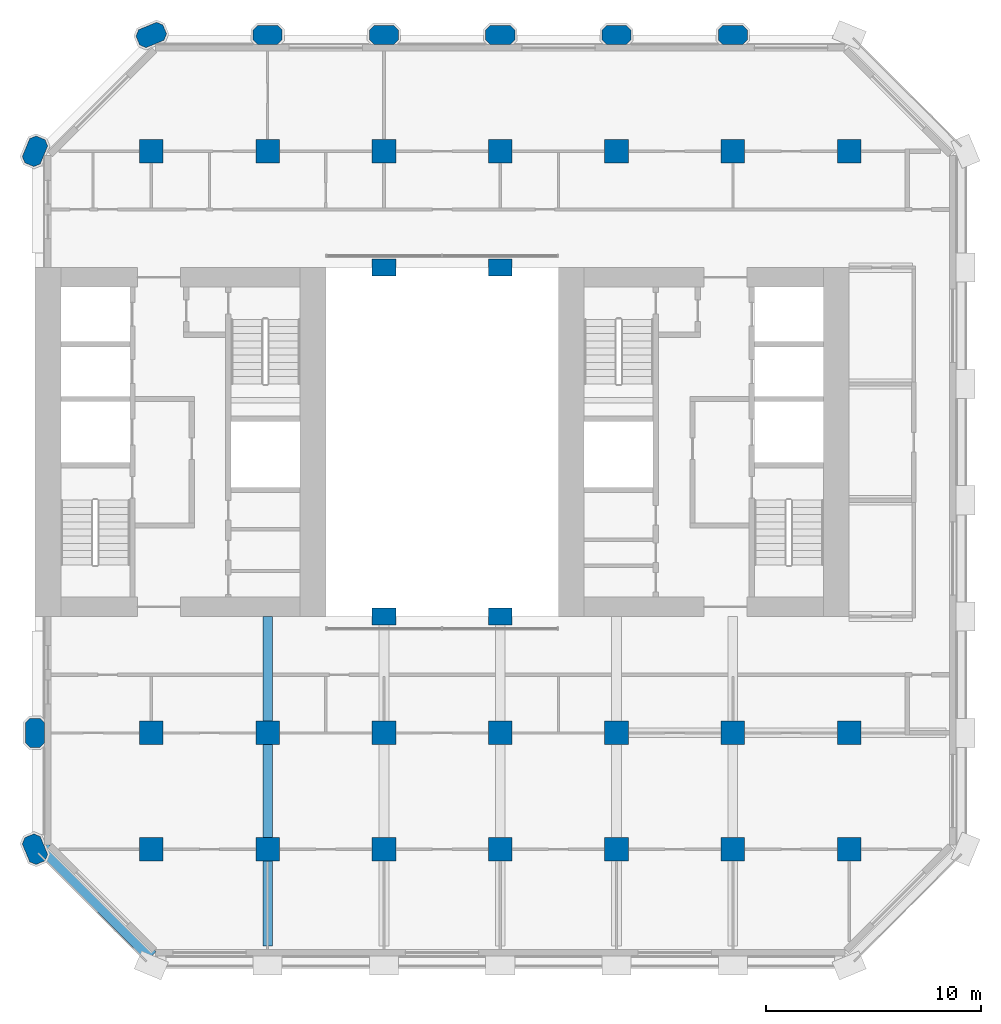
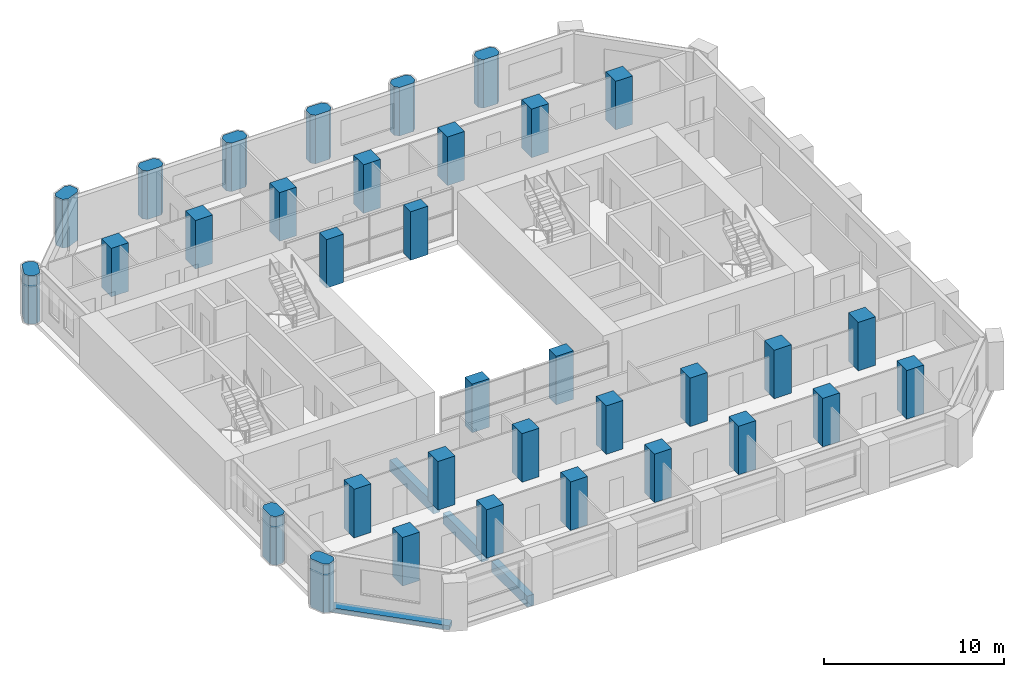
# One storey, part 1 of 13: 34 columns, 4 beams.
"""IFC4 building model written with IfcOpenShell, lengths in metres."""

from ifc_helpers import new_model, si_unit, direction, frame, origin, origin_2d, place, context, subcontext, project, spatial, polyline, rectangle, outline, extrude, material, material_profile, profile_set, type_object, element, save


model = new_model("IFC4")

# Units and contexts
model_context = context("Model", 3, precision=1e-05, world=origin(), true_north=direction((0.0, 1.0)))
body_context = subcontext(model_context, "Body", "Model", "MODEL_VIEW")
ifc_project = project(units=[si_unit("LENGTHUNIT", "METRE"), si_unit("AREAUNIT", "SQUARE_METRE"), si_unit("VOLUMEUNIT", "CUBIC_METRE"), si_unit("PLANEANGLEUNIT", "RADIAN"), si_unit("MASSUNIT", "GRAM", prefix="KILO")], contexts=[model_context])

# Site, building, storey
site_placement = place(None, origin())
site = spatial("IfcSite", under=ifc_project, at=site_placement, CompositionType="ELEMENT")
building_placement = place(site_placement, origin())
building = spatial("IfcBuilding", under=site, at=building_placement, Name="Tabaq Tower and Sports Hall", CompositionType="ELEMENT")
storey_placement = place(building_placement, frame((0.0, 0.0, 56.39990234375)))
storey = spatial("IfcBuildingStorey", under=building, at=storey_placement, Name="L12", CompositionType="ELEMENT", Elevation=56.39990234375)

# Columns
ifc_material_1 = material(Name="Concrete C60/75", Category="concrete")
ifc_material_profile_1 = material_profile(ifc_material_1, rectangle(XDim=1.10009765625, YDim=0.800048828125, at=origin_2d()), Name="ATRIUM COLUMN 1100x800")
ifc_profile_set_1 = profile_set([ifc_material_profile_1], Name="Concrete C60/75")
column_type_1 = type_object("IfcColumnType", Name="RC COLUMN ATRIUM COLUMN 1100x800 C60/75", PredefinedType="COLUMN", material=ifc_profile_set_1)
for number, where, z_axis, x_axis, name in (
    (1, (21.60009765625, 16.199951171875, 0.0), (0.0, 0.0, 1.0), (1.0, 0.0, 0.0), "Atrium Column 5/D L12"),
    (2, (27.0, 16.199951171875, 0.0), (0.0, 0.0, 1.0), (1.0, 0.0, 0.0), "Atrium Column 6/D L12"),
    (3, (21.60009765625, 32.39990234375, 0.0), (0.0, 0.0, 1.0), (1.0, 0.0, 0.0), "Atrium Column 5/G L12"),
    (4, (27.0, 32.39990234375, 0.0), (0.0, 0.0, 1.0), (1.0, 0.0, 0.0), "Atrium Column 6/G L12"),
):
    element("IfcColumn", number, at=place(storey_placement, frame(where, z_axis=z_axis, x_axis=x_axis)), inside=storey, type_object=column_type_1, Name=name, PredefinedType="COLUMN", context=body_context, shape_type="SweptSolid", body=[
        extrude(rectangle(XDim=1.10009765625, YDim=0.800048828125, at=origin_2d()), origin(), (0.0, 0.0, 1.0), 3.300048828125),
    ])
ifc_material_2 = material(Name="Concrete C60/75", Category="concrete")
ifc_material_profile_2 = material_profile(ifc_material_2, rectangle(XDim=1.10009765625, YDim=1.10009765625, at=origin_2d()), Name="COLUMN 1100x1100")
ifc_profile_set_2 = profile_set([ifc_material_profile_2], Name="Concrete C60/75")
column_type_2 = type_object("IfcColumnType", Name="RC COLUMN COLUMN 1100x1100 C60/75", PredefinedType="COLUMN", material=ifc_profile_set_2)
for number, where, z_axis, x_axis, name in (
    (5, (10.800048828125, 5.39990234375, 0.0), (0.0, 0.0, 1.0), (1.0, 0.0, 0.0), "Column 3/B L12"),
    (6, (16.199951171875, 5.39990234375, 0.0), (0.0, 0.0, 1.0), (1.0, 0.0, 0.0), "Column 4/B L12"),
    (7, (21.60009765625, 5.39990234375, 0.0), (0.0, 0.0, 1.0), (1.0, 0.0, 0.0), "Column 5/B L12"),
    (8, (27.0, 5.39990234375, 0.0), (0.0, 0.0, 1.0), (1.0, 0.0, 0.0), "Column 6/B L12"),
    (9, (32.39990234375, 5.39990234375, 0.0), (0.0, 0.0, 1.0), (1.0, 0.0, 0.0), "Column 7/B L12"),
    (10, (37.800048828125, 5.39990234375, 0.0), (0.0, 0.0, 1.0), (1.0, 0.0, 0.0), "Column 8/B L12"),
    (11, (43.199951171875, 5.39990234375, 0.0), (0.0, 0.0, 1.0), (1.0, 0.0, 0.0), "Column 9/B L12"),
    (12, (10.800048828125, 10.800048828125, 0.0), (0.0, 0.0, 1.0), (1.0, 0.0, 0.0), "Column 3/C L12"),
    (13, (16.199951171875, 10.800048828125, 0.0), (0.0, 0.0, 1.0), (1.0, 0.0, 0.0), "Column 4/C L12"),
    (14, (21.60009765625, 10.800048828125, 0.0), (0.0, 0.0, 1.0), (1.0, 0.0, 0.0), "Column 5/C L12"),
    (15, (27.0, 10.800048828125, 0.0), (0.0, 0.0, 1.0), (1.0, 0.0, 0.0), "Column 6/C L12"),
    (16, (32.39990234375, 10.800048828125, 0.0), (0.0, 0.0, 1.0), (1.0, 0.0, 0.0), "Column 7/C L12"),
    (17, (37.800048828125, 10.800048828125, 0.0), (0.0, 0.0, 1.0), (1.0, 0.0, 0.0), "Column 8/C L12"),
    (18, (43.199951171875, 10.800048828125, 0.0), (0.0, 0.0, 1.0), (1.0, 0.0, 0.0), "Column 9/C L12"),
    (19, (10.800048828125, 37.800048828125, 0.0), (0.0, 0.0, 1.0), (1.0, 0.0, 0.0), "Column 3/H L12"),
    (20, (16.199951171875, 37.800048828125, 0.0), (0.0, 0.0, 1.0), (1.0, 0.0, 0.0), "Column 4/H L12"),
    (21, (21.60009765625, 37.800048828125, 0.0), (0.0, 0.0, 1.0), (1.0, 0.0, 0.0), "Column 5/H L12"),
    (22, (27.0, 37.800048828125, 0.0), (0.0, 0.0, 1.0), (1.0, 0.0, 0.0), "Column 6/H L12"),
    (23, (32.39990234375, 37.800048828125, 0.0), (0.0, 0.0, 1.0), (1.0, 0.0, 0.0), "Column 7/H L12"),
    (24, (37.800048828125, 37.800048828125, 0.0), (0.0, 0.0, 1.0), (1.0, 0.0, 0.0), "Column 8/H L12"),
    (25, (43.199951171875, 37.800048828125, 0.0), (0.0, 0.0, 1.0), (1.0, 0.0, 0.0), "Column 9/H L12"),
):
    element("IfcColumn", number, at=place(storey_placement, frame(where, z_axis=z_axis, x_axis=x_axis)), inside=storey, type_object=column_type_2, Name=name, PredefinedType="COLUMN", context=body_context, shape_type="SweptSolid", body=[
        extrude(rectangle(XDim=1.10009765625, YDim=1.10009765625, at=origin_2d()), origin(), (0.0, 0.0, 1.0), 3.300048828125),
    ])
ifc_material_3 = material(Name="Concrete C60/75", Category="concrete")
ifc_material_profile_3 = material_profile(ifc_material_3, outline(polyline([(-0.449951171875, -0.449951171875), (0.449951171875, -0.449951171875), (0.675048828125, -0.22509765625), (0.675048828125, 0.22509765625), (0.449951171875, 0.449951171875), (-0.449951171875, 0.449951171875), (-0.675048828125, 0.22509765625), (-0.675048828125, -0.22509765625), (-0.449951171875, -0.449951171875)])), Name="PIER 1350x900")
ifc_profile_set_3 = profile_set([ifc_material_profile_3], Name="Concrete C60/75")
column_type_3 = type_object("IfcColumnType", Name="RC COLUMN PIER 1350x900 C60/75", PredefinedType="COLUMN", material=ifc_profile_set_3)
for number, where, z_axis, x_axis, name in (
    (26, (5.39990234375, 5.39990234375, 0.0), (0.0, 0.0, 1.0), (-0.382683432365, 0.923879532511, 0.0), "Pier 2/B L12"),
    (27, (5.39990234375, 10.800048828125, 0.0), (0.0, 0.0, 1.0), (0.0, 1.0, 0.0), "Pier 2/C L12"),
    (28, (5.39990234375, 37.800048828125, 0.0), (0.0, 0.0, 1.0), (0.382683432365, 0.923879532511, 0.0), "Pier 2/H L12"),
    (29, (10.800048828125, 43.199951171875, 0.0), (0.0, 0.0, 1.0), (0.923879532511, 0.382683432365, 0.0), "Pier 3/I L12"),
    (30, (16.199951171875, 43.199951171875, 0.0), (0.0, 0.0, 1.0), (1.0, 0.0, 0.0), "Pier 4/I L12"),
    (31, (21.60009765625, 43.199951171875, 0.0), (0.0, 0.0, 1.0), (1.0, 0.0, 0.0), "Pier 5/I L12"),
    (32, (27.0, 43.199951171875, 0.0), (0.0, 0.0, 1.0), (1.0, 0.0, 0.0), "Pier 6/I L12"),
    (33, (32.39990234375, 43.199951171875, 0.0), (0.0, 0.0, 1.0), (1.0, 0.0, 0.0), "Pier 7/I L12"),
    (34, (37.800048828125, 43.199951171875, 0.0), (0.0, 0.0, 1.0), (1.0, 0.0, 0.0), "Pier 8/I L12"),
):
    element("IfcColumn", number, at=place(storey_placement, frame(where, z_axis=z_axis, x_axis=x_axis)), inside=storey, type_object=column_type_3, Name=name, PredefinedType="COLUMN", context=body_context, shape_type="SweptSolid", body=[
        extrude(outline(polyline([(-0.449951171875, -0.449951171875), (0.449951171875, -0.449951171875), (0.675048828125, -0.22509765625), (0.675048828125, 0.22509765625), (0.449951171875, 0.449951171875), (-0.449951171875, 0.449951171875), (-0.675048828125, 0.22509765625), (-0.675048828125, -0.22509765625), (-0.449951171875, -0.449951171875)])), origin(), (0.0, 0.0, 1.0), 3.300048828125),
    ])

# Beams
ifc_material_4 = material(Name="Concrete C40/50", Category="concrete")
ifc_material_profile_4 = material_profile(ifc_material_4, rectangle(XDim=0.449951171875, YDim=0.75, at=origin_2d()), Name="CB 450x750")
ifc_profile_set_4 = profile_set([ifc_material_profile_4], Name="Concrete C40/50")
beam_type_1 = type_object("IfcBeamType", Name="PT CANTILEVER BEAM CB 450x750 C40/50", PredefinedType="BEAM", material=ifc_profile_set_4)
beam_1_placement = place(storey_placement, frame((16.199951171875, 0.89990234375, -0.6748046875), z_axis=(0.0, 1.0, 0.0), x_axis=(-1.0, 0.0, 0.0)))
element("IfcBeam", 35, at=beam_1_placement, inside=storey, type_object=beam_type_1, Name="Cantilever Beam L12 S3 span 1", PredefinedType="BEAM", context=body_context, shape_type="SweptSolid", body=[
    extrude(rectangle(XDim=0.449951171875, YDim=0.75, at=origin_2d()), origin(), (0.0, 0.0, 1.0), 3.9501953125),
])
beam_2_placement = place(storey_placement, frame((16.199951171875, 5.949951171875, -0.6748046875), z_axis=(0.0, 1.0, 0.0), x_axis=(-1.0, 0.0, 0.0)))
element("IfcBeam", 36, at=beam_2_placement, inside=storey, type_object=beam_type_1, Name="Cantilever Beam L12 S3 span 2", PredefinedType="BEAM", context=body_context, shape_type="SweptSolid", body=[
    extrude(rectangle(XDim=0.449951171875, YDim=0.75, at=origin_2d()), origin(), (0.0, 0.0, 1.0), 4.300048828125),
])
beam_3_placement = place(storey_placement, frame((16.199951171875, 11.35009765625, -0.6748046875), z_axis=(0.0, 1.0, 0.0), x_axis=(-1.0, 0.0, 0.0)))
element("IfcBeam", 37, at=beam_3_placement, inside=storey, type_object=beam_type_1, Name="Cantilever Beam L12 S3 span 3", PredefinedType="BEAM", context=body_context, shape_type="SweptSolid", body=[
    extrude(rectangle(XDim=0.449951171875, YDim=0.75, at=origin_2d()), origin(), (0.0, 0.0, 1.0), 4.849853515625),
])
ifc_material_5 = material(Name="Concrete C40/50", Category="concrete")
ifc_material_profile_5 = material_profile(ifc_material_5, rectangle(XDim=0.60009765625, YDim=0.300048828125, at=origin_2d()), Name="EB 600x300")
ifc_profile_set_5 = profile_set([ifc_material_profile_5], Name="Concrete C40/50")
beam_type_2 = type_object("IfcBeamType", Name="PT EDGE BEAM EB 600x300 C40/50", PredefinedType="SPANDREL", material=ifc_profile_set_5)
beam_4_placement = place(storey_placement, frame((5.788818359375, 5.435302734375, -0.14990234375), z_axis=(0.707124002701, -0.707089559252, 0.0), x_axis=(0.707089559252, 0.707124002701, 0.0)))
element("IfcBeam", 38, at=beam_4_placement, inside=storey, type_object=beam_type_2, Name="Edge Beam L12 5", PredefinedType="SPANDREL", context=body_context, shape_type="SweptSolid", body=[
    extrude(rectangle(XDim=0.60009765625, YDim=0.300048828125, at=origin_2d()), origin(), (0.0, 0.0, 1.0), 7.088134765625),
])

save(model, "model.ifc")
